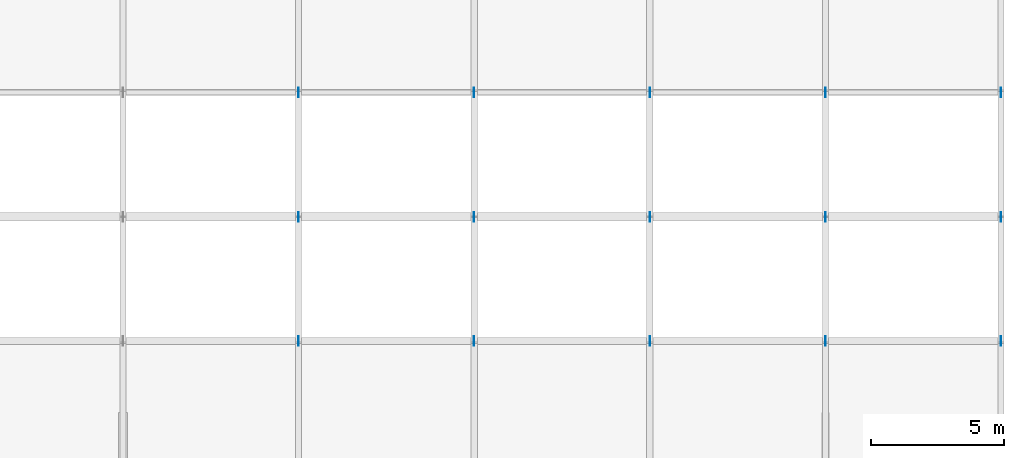
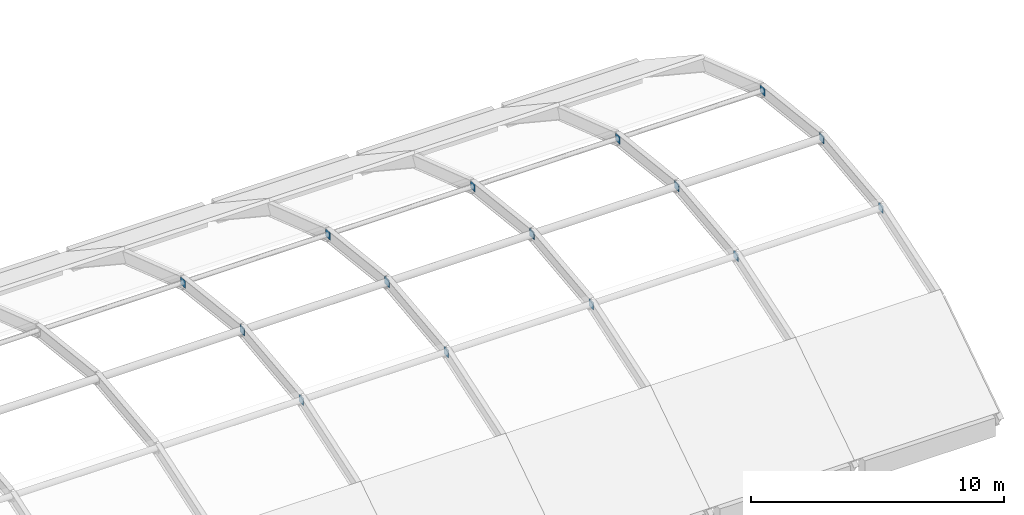
# One storey, part 12 of 20: 15 plates.
"""IFC4 building model written with IfcOpenShell, lengths in metres."""

from ifc_helpers import new_model, si_unit, direction, frame, origin, origin_2d, place, context, subcontext, project, spatial, rectangle, extrude, material, layer, layer_set, type_object, element, save


model = new_model("IFC4")

# Units and contexts
model_context = context("Model", 3, precision=1e-05, world=origin(), true_north=direction((0.0, 1.0)))
body_context = subcontext(model_context, "Body", "Model", "MODEL_VIEW")
ifc_project = project(units=[si_unit("LENGTHUNIT", "METRE"), si_unit("AREAUNIT", "SQUARE_METRE"), si_unit("VOLUMEUNIT", "CUBIC_METRE"), si_unit("PLANEANGLEUNIT", "RADIAN"), si_unit("MASSUNIT", "GRAM", prefix="KILO")], contexts=[model_context])

# Site, building, storey
site_placement = place(None, origin())
site = spatial("IfcSite", under=ifc_project, at=site_placement, CompositionType="ELEMENT")
building_placement = place(site_placement, origin())
building = spatial("IfcBuilding", under=site, at=building_placement, Name="Ciguamira Faculty of Natural Sciences", CompositionType="ELEMENT")
storey_placement = place(building_placement, frame((0.0, 0.0, 21.0)))
storey = spatial("IfcBuildingStorey", under=building, at=storey_placement, Name="L05", CompositionType="ELEMENT", Elevation=21.0)

# Plates
ifc_material = material(Name="Steel ASTM A572 Grade 50", Category="steel")
ifc_layer = layer(ifc_material, 0.02001953125, Name="Steel ASTM A572 Grade 50")
ifc_layer_set = layer_set([ifc_layer], Name="Steel ASTM A572 Grade 50")
plate_type = type_object("IfcPlateType", Name="GussetPlate_EP-02", PredefinedType="SHEET", material=ifc_layer_set)
for number, where, z_axis, x_axis, name in (
    (1, (90.300048828125, 19.333251953125, 4.001953125), (0.0, 0.0, 1.0), (1.0, 0.0, 0.0), "Atrium Tubular Truss Node Plate 1-06"),
    (2, (96.89990234375, 19.333251953125, 4.001953125), (0.0, 0.0, 1.0), (1.0, 0.0, 0.0), "Atrium Tubular Truss Node Plate 1-07"),
    (3, (103.5, 19.333251953125, 4.001953125), (0.0, 0.0, 1.0), (1.0, 0.0, 0.0), "Atrium Tubular Truss Node Plate 1-08"),
    (4, (110.10009765625, 19.333251953125, 4.001953125), (0.0, 0.0, 1.0), (1.0, 0.0, 0.0), "Atrium Tubular Truss Node Plate 1-09"),
    (5, (116.699951171875, 19.333251953125, 4.001953125), (0.0, 0.0, 1.0), (1.0, 0.0, 0.0), "Atrium Tubular Truss Node Plate 1-10"),
    (6, (90.300048828125, 24.0, 4.53369140625), (0.0, 0.0, 1.0), (1.0, 0.0, 0.0), "Atrium Tubular Truss Node Plate 2-06"),
    (7, (96.89990234375, 24.0, 4.53369140625), (0.0, 0.0, 1.0), (1.0, 0.0, 0.0), "Atrium Tubular Truss Node Plate 2-07"),
    (8, (103.5, 24.0, 4.53369140625), (0.0, 0.0, 1.0), (1.0, 0.0, 0.0), "Atrium Tubular Truss Node Plate 2-08"),
    (9, (110.10009765625, 24.0, 4.53369140625), (0.0, 0.0, 1.0), (1.0, 0.0, 0.0), "Atrium Tubular Truss Node Plate 2-09"),
    (10, (116.699951171875, 24.0, 4.53369140625), (0.0, 0.0, 1.0), (1.0, 0.0, 0.0), "Atrium Tubular Truss Node Plate 2-10"),
    (11, (90.300048828125, 28.666748046875, 4.001953125), (0.0, 0.0, 1.0), (1.0, 0.0, 0.0), "Atrium Tubular Truss Node Plate 3-06"),
    (12, (96.89990234375, 28.666748046875, 4.001953125), (0.0, 0.0, 1.0), (1.0, 0.0, 0.0), "Atrium Tubular Truss Node Plate 3-07"),
    (13, (103.5, 28.666748046875, 4.001953125), (0.0, 0.0, 1.0), (1.0, 0.0, 0.0), "Atrium Tubular Truss Node Plate 3-08"),
    (14, (110.10009765625, 28.666748046875, 4.001953125), (0.0, 0.0, 1.0), (1.0, 0.0, 0.0), "Atrium Tubular Truss Node Plate 3-09"),
    (15, (116.699951171875, 28.666748046875, 4.001953125), (0.0, 0.0, 1.0), (1.0, 0.0, 0.0), "Atrium Tubular Truss Node Plate 3-10"),
):
    element("IfcPlate", number, at=place(storey_placement, frame(where, z_axis=z_axis, x_axis=x_axis)), inside=storey, type_object=plate_type, Name=name, PredefinedType="SHEET", context=body_context, shape_type="SweptSolid", body=[
        extrude(rectangle(XDim=0.02001953125, YDim=0.360107421875, at=origin_2d()), origin(), (0.0, 0.0, 1.0), 0.360107421875),
    ])

save(model, "model.ifc")
